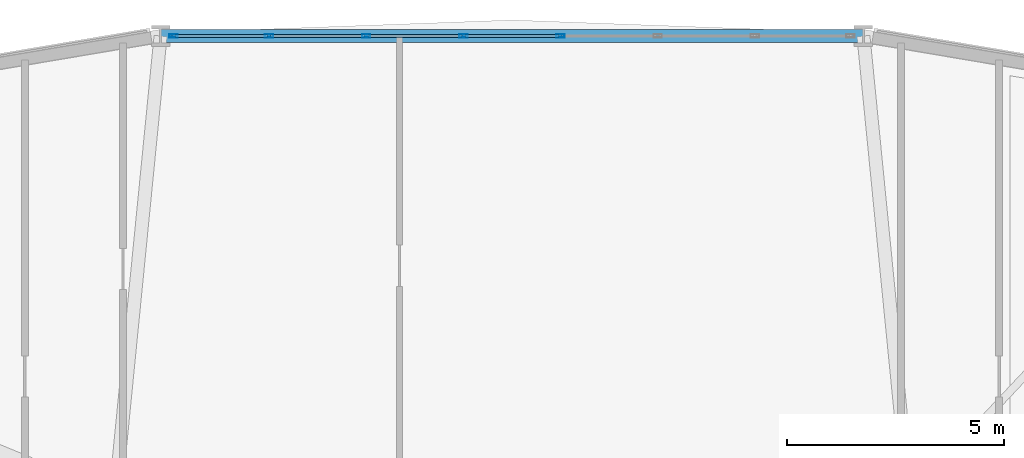
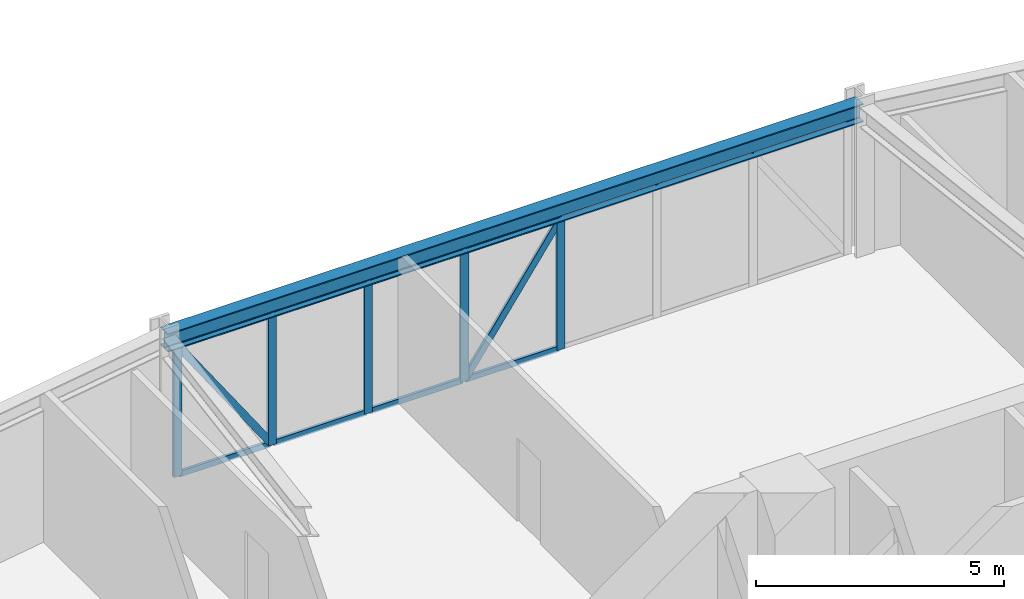
# One storey, part 11 of 23: 15 members, 1 beam, 1 element without a shape of its own.
"""IFC4 building model written with IfcOpenShell, lengths in metres."""

from ifc_helpers import new_model, si_unit, derived_unit, direction, frame, origin, origin_2d, place, context, subcontext, project, spatial, hollow_rectangle, i_section, extrude, source, transform, mapped, material, layer, layer_set, material_profile, profile_set, type_object, element, aggregate, save


model = new_model("IFC4")

# Units and contexts
model_context = context("Model", 3, precision=1e-05, world=origin(), true_north=direction((0.0, 1.0)))
body_context = subcontext(model_context, "Body", "Model", "MODEL_VIEW")
ifc_project = project(units=[si_unit("LENGTHUNIT", "METRE"), si_unit("AREAUNIT", "SQUARE_METRE"), si_unit("VOLUMEUNIT", "CUBIC_METRE"), si_unit("PLANEANGLEUNIT", "RADIAN"), si_unit("MASSUNIT", "GRAM", prefix="KILO"), derived_unit("THERMALTRANSMITTANCEUNIT", [(si_unit("POWERUNIT", "WATT"), 1), (si_unit("LENGTHUNIT", "METRE"), -2), (si_unit("THERMODYNAMICTEMPERATUREUNIT", "KELVIN"), -1)])], contexts=[model_context])

# Site, building, storey
site_placement = place(None, origin())
site = spatial("IfcSite", under=ifc_project, at=site_placement, CompositionType="ELEMENT")
building_placement = place(site_placement, origin())
building = spatial("IfcBuilding", under=site, at=building_placement, Name="Korsvarv Bourse and Concert Hall", CompositionType="ELEMENT")
storey_placement = place(building_placement, frame((0.0, 0.0, 24.0)))
storey = spatial("IfcBuildingStorey", under=building, at=storey_placement, Name="L05", CompositionType="ELEMENT", Elevation=24.0)

# Beam
ifc_material_1 = material(Name="Steel S355", Category="steel")
ifc_material_profile_1 = material_profile(ifc_material_1, i_section(OverallWidth=0.300048828125, OverallDepth=0.449951171875, WebThickness=0.013916015625, FlangeThickness=0.02587890625, FilletRadius=0.02099609375, at=origin_2d()), Name="HEB 450")
ifc_profile_set_1 = profile_set([ifc_material_profile_1], Name="Steel S355")
beam_type = type_object("IfcBeamType", Name="BM-HEB450", PredefinedType="SPANDREL", material=ifc_profile_set_1)
shared_shape_1 = source(origin(), body_context, "Body", "SweptSolid", [
    extrude(i_section(OverallWidth=0.300048828125, OverallDepth=0.449951171875, WebThickness=0.013916015625, FlangeThickness=0.02587890625, FilletRadius=0.02099609375, at=origin_2d()), origin(), (0.0, 0.0, 1.0), 16.19482421875),
])
beam_placement = place(storey_placement, frame((44.097412109375, 57.9169921875, 3.455078125), z_axis=(-1.0, 0.0, 0.0), x_axis=(0.0, -1.0, 0.0)))
element("IfcBeam", 1, at=beam_placement, inside=storey, type_object=beam_type, Name="L05 beam B-08", PredefinedType="SPANDREL", context=body_context, shape_type="MappedRepresentation", body=[
    mapped(shared_shape_1, transform((0.0, 0.0, 0.0), scale=1.0)),
])

# Curtain wall, members
ifc_material_2 = material(Name="Anodised aluminium and triple low-E glazing", Category="glass")
ifc_layer = layer(ifc_material_2, 0.219970703125)
ifc_layer_set = layer_set([ifc_layer], Name="Anodised aluminium and triple low-E glazing")
curtain_wall_type = type_object("IfcCurtainWallType", Name="CW-SYS-1", PredefinedType="NOTDEFINED", material=ifc_layer_set)
curtain_wall_placement = place(storey_placement, origin())
curtain_wall = element("IfcCurtainWall", 2, at=curtain_wall_placement, inside=storey, type_object=curtain_wall_type, Name="L05 CW1 curtain wall CW-L05-F03", PredefinedType="NOTDEFINED")
ifc_material_3 = material(Name="Extruded aluminium EN AW-6063 T66", Category="aluminium")
ifc_material_profile_2 = material_profile(ifc_material_3, hollow_rectangle(XDim=0.070068359375, YDim=0.18994140625, WallThickness=0.0048828125, at=origin_2d()), Name="ALU-M 70x190")
ifc_profile_set_2 = profile_set([ifc_material_profile_2], Name="Extruded aluminium EN AW-6063 T66")
member_type_1 = type_object("IfcMemberType", Name="CWM-190", PredefinedType="MULLION", material=ifc_profile_set_2)
shared_shape_2 = source(origin(), body_context, "Body", "SweptSolid", [
    extrude(hollow_rectangle(XDim=0.070068359375, YDim=0.18994140625, WallThickness=0.0048828125, at=origin_2d()), origin(), (0.0, 0.0, 1.0), 3.22998046875),
])
member_1_placement = place(storey_placement, frame((37.119384765625, 57.9169921875, 0.0), z_axis=(0.0, 0.0, 1.0), x_axis=(0.0, -1.0, 0.0)))
member_1 = element("IfcMember", 3, at=member_1_placement, type_object=member_type_1, Name="CW1 mullion 4", PredefinedType="MULLION", context=body_context, shape_type="MappedRepresentation", body=[
    mapped(shared_shape_2, transform((0.0, 0.0, 0.0), scale=1.0)),
])
member_2_placement = place(storey_placement, frame((34.880615234375, 57.9169921875, 0.0), z_axis=(0.0, 0.0, 1.0), x_axis=(0.0, -1.0, 0.0)))
member_2 = element("IfcMember", 4, at=member_2_placement, type_object=member_type_1, Name="CW1 mullion 5", PredefinedType="MULLION", context=body_context, shape_type="MappedRepresentation", body=[
    mapped(shared_shape_2, transform((0.0, 0.0, 0.0), scale=1.0)),
])
member_3_placement = place(storey_placement, frame((32.641845703125, 57.9169921875, 0.0), z_axis=(0.0, 0.0, 1.0), x_axis=(0.0, -1.0, 0.0)))
member_3 = element("IfcMember", 5, at=member_3_placement, type_object=member_type_1, Name="CW1 mullion 6", PredefinedType="MULLION", context=body_context, shape_type="MappedRepresentation", body=[
    mapped(shared_shape_2, transform((0.0, 0.0, 0.0), scale=1.0)),
])
member_4_placement = place(storey_placement, frame((30.4033203125, 57.9169921875, 0.0), z_axis=(0.0, 0.0, 1.0), x_axis=(0.0, -1.0, 0.0)))
member_4 = element("IfcMember", 6, at=member_4_placement, type_object=member_type_1, Name="CW1 mullion 7", PredefinedType="MULLION", context=body_context, shape_type="MappedRepresentation", body=[
    mapped(shared_shape_2, transform((0.0, 0.0, 0.0), scale=1.0)),
])
member_5_placement = place(storey_placement, frame((28.199462890625, 57.9169921875, 0.0), z_axis=(0.0, 0.0, 1.0), x_axis=(0.0, -1.0, 0.0)))
member_5 = element("IfcMember", 7, at=member_5_placement, type_object=member_type_1, Name="CW1 mullion 8", PredefinedType="MULLION", context=body_context, shape_type="MappedRepresentation", body=[
    mapped(shared_shape_2, transform((0.0, 0.0, 0.0), scale=1.0)),
])
ifc_material_profile_3 = material_profile(ifc_material_3, hollow_rectangle(XDim=0.06494140625, YDim=0.139892578125, WallThickness=0.00390625, at=origin_2d()), Name="ALU-T 65x140")
ifc_profile_set_3 = profile_set([ifc_material_profile_3], Name="Extruded aluminium EN AW-6063 T66")
member_type_2 = type_object("IfcMemberType", Name="CWT-140", PredefinedType="USERDEFINED", material=ifc_profile_set_3)
shared_shape_3 = source(origin(), body_context, "Body", "SweptSolid", [
    extrude(hollow_rectangle(XDim=0.06494140625, YDim=0.139892578125, WallThickness=0.00390625, at=origin_2d()), origin(), (0.0, 0.0, 1.0), 2.133544921875),
])
member_6_placement = place(storey_placement, frame((30.3681640625, 57.9169921875, 0.032470703125), z_axis=(-1.0, 0.0, 0.0), x_axis=(0.0, -1.0, 0.0)))
member_6 = element("IfcMember", 8, at=member_6_placement, type_object=member_type_2, Name="CW1 transom 7.1", ObjectType="TRANSOM", PredefinedType="USERDEFINED", context=body_context, shape_type="MappedRepresentation", body=[
    mapped(shared_shape_3, transform((0.0, 0.0, 0.0), scale=1.0)),
])
member_7_placement = place(storey_placement, frame((30.3681640625, 57.9169921875, 3.197509765625), z_axis=(-1.0, 0.0, 0.0), x_axis=(0.0, -1.0, 0.0)))
member_7 = element("IfcMember", 9, at=member_7_placement, type_object=member_type_2, Name="CW1 transom 7.2", ObjectType="TRANSOM", PredefinedType="USERDEFINED", context=body_context, shape_type="MappedRepresentation", body=[
    mapped(shared_shape_3, transform((0.0, 0.0, 0.0), scale=1.0)),
])
ifc_material_profile_4 = material_profile(ifc_material_3, hollow_rectangle(XDim=0.06494140625, YDim=0.1650390625, WallThickness=0.0048828125, at=origin_2d()), Name="ALU-M 65x165")
ifc_profile_set_4 = profile_set([ifc_material_profile_4], Name="Extruded aluminium EN AW-6063 T66")
member_type_3 = type_object("IfcMemberType", Name="CWM-165", PredefinedType="MULLION", material=ifc_profile_set_4)
shared_shape_4 = source(origin(), body_context, "Body", "SweptSolid", [
    extrude(hollow_rectangle(XDim=0.06494140625, YDim=0.1650390625, WallThickness=0.0048828125, at=origin_2d()), origin(), (0.0, 0.0, 1.0), 3.763427734375),
])
member_8_placement = place(storey_placement, frame((30.3681640625, 57.9169921875, 0.06494140625), z_axis=(-0.566930731134, 0.0, 0.823765467895), x_axis=(0.0, -1.0, 0.0)))
member_8 = element("IfcMember", 10, at=member_8_placement, type_object=member_type_3, Name="CW1 diagonal mullion 7", PredefinedType="MULLION", context=body_context, shape_type="MappedRepresentation", body=[
    mapped(shared_shape_4, transform((0.0, 0.0, 0.0), scale=1.0)),
])
shared_shape_5 = source(origin(), body_context, "Body", "SweptSolid", [
    extrude(hollow_rectangle(XDim=0.06494140625, YDim=0.139892578125, WallThickness=0.00390625, at=origin_2d()), origin(), (0.0, 0.0, 1.0), 2.168701171875),
])
member_9_placement = place(storey_placement, frame((34.845703125, 57.9169921875, 0.032470703125), z_axis=(-1.0, 0.0, 0.0), x_axis=(0.0, -1.0, 0.0)))
member_9 = element("IfcMember", 11, at=member_9_placement, type_object=member_type_2, Name="CW1 transom 5.1", ObjectType="TRANSOM", PredefinedType="USERDEFINED", context=body_context, shape_type="MappedRepresentation", body=[
    mapped(shared_shape_5, transform((0.0, 0.0, 0.0), scale=1.0)),
])
member_10_placement = place(storey_placement, frame((34.845703125, 57.9169921875, 3.197509765625), z_axis=(-1.0, 0.0, 0.0), x_axis=(0.0, -1.0, 0.0)))
member_10 = element("IfcMember", 12, at=member_10_placement, type_object=member_type_2, Name="CW1 transom 5.2", ObjectType="TRANSOM", PredefinedType="USERDEFINED", context=body_context, shape_type="MappedRepresentation", body=[
    mapped(shared_shape_5, transform((0.0, 0.0, 0.0), scale=1.0)),
])
member_11_placement = place(storey_placement, frame((32.60693359375, 57.9169921875, 0.032470703125), z_axis=(-1.0, 0.0, 0.0), x_axis=(0.0, -1.0, 0.0)))
member_11 = element("IfcMember", 13, at=member_11_placement, type_object=member_type_2, Name="CW1 transom 6.1", ObjectType="TRANSOM", PredefinedType="USERDEFINED", context=body_context, shape_type="MappedRepresentation", body=[
    mapped(shared_shape_5, transform((0.0, 0.0, 0.0), scale=1.0)),
])
member_12_placement = place(storey_placement, frame((32.60693359375, 57.9169921875, 3.197509765625), z_axis=(-1.0, 0.0, 0.0), x_axis=(0.0, -1.0, 0.0)))
member_12 = element("IfcMember", 14, at=member_12_placement, type_object=member_type_2, Name="CW1 transom 6.2", ObjectType="TRANSOM", PredefinedType="USERDEFINED", context=body_context, shape_type="MappedRepresentation", body=[
    mapped(shared_shape_5, transform((0.0, 0.0, 0.0), scale=1.0)),
])
shared_shape_6 = source(origin(), body_context, "Body", "SweptSolid", [
    extrude(hollow_rectangle(XDim=0.06494140625, YDim=0.139892578125, WallThickness=0.00390625, at=origin_2d()), origin(), (0.0, 0.0, 1.0), 2.1689453125),
])
member_13_placement = place(storey_placement, frame((37.08447265625, 57.9169921875, 0.032470703125), z_axis=(-1.0, 0.0, 0.0), x_axis=(0.0, -1.0, 0.0)))
member_13 = element("IfcMember", 15, at=member_13_placement, type_object=member_type_2, Name="CW1 transom 4.1", ObjectType="TRANSOM", PredefinedType="USERDEFINED", context=body_context, shape_type="MappedRepresentation", body=[
    mapped(shared_shape_6, transform((0.0, 0.0, 0.0), scale=1.0)),
])
member_14_placement = place(storey_placement, frame((37.08447265625, 57.9169921875, 3.197509765625), z_axis=(-1.0, 0.0, 0.0), x_axis=(0.0, -1.0, 0.0)))
member_14 = element("IfcMember", 16, at=member_14_placement, type_object=member_type_2, Name="CW1 transom 4.2", ObjectType="TRANSOM", PredefinedType="USERDEFINED", context=body_context, shape_type="MappedRepresentation", body=[
    mapped(shared_shape_6, transform((0.0, 0.0, 0.0), scale=1.0)),
])
shared_shape_7 = source(origin(), body_context, "Body", "SweptSolid", [
    extrude(hollow_rectangle(XDim=0.06494140625, YDim=0.1650390625, WallThickness=0.0048828125, at=origin_2d()), origin(), (0.0, 0.0, 1.0), 3.783447265625),
])
member_15_placement = place(storey_placement, frame((34.91552734375, 57.9169921875, 0.06494140625), z_axis=(0.573263114713, 0.0, 0.819371345185), x_axis=(0.0, 1.0, 0.0)))
member_15 = element("IfcMember", 17, at=member_15_placement, type_object=member_type_3, Name="CW1 diagonal mullion 4", PredefinedType="MULLION", context=body_context, shape_type="MappedRepresentation", body=[
    mapped(shared_shape_7, transform((0.0, 0.0, 0.0), scale=1.0)),
])
aggregate(curtain_wall, [member_1, member_2, member_3, member_4, member_5, member_13, member_14, member_15, member_9, member_10, member_11, member_12, member_6, member_7, member_8])

save(model, "model.ifc")
